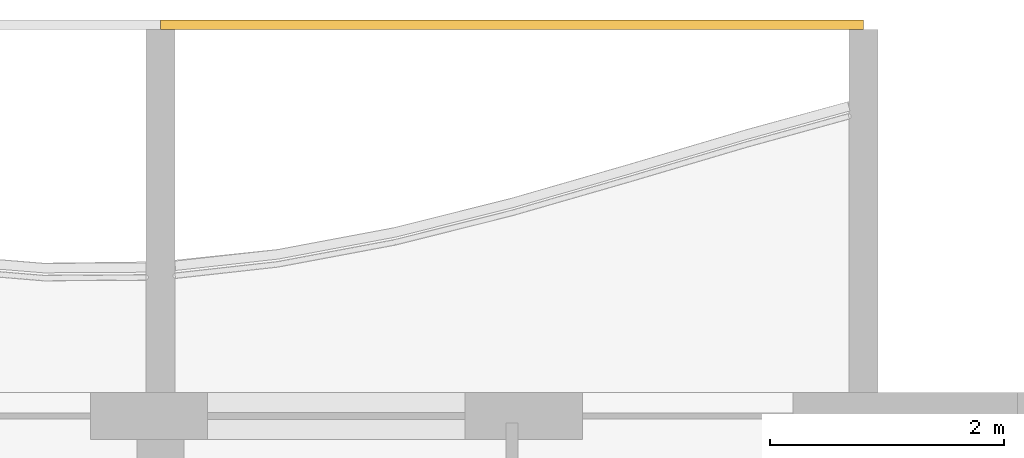
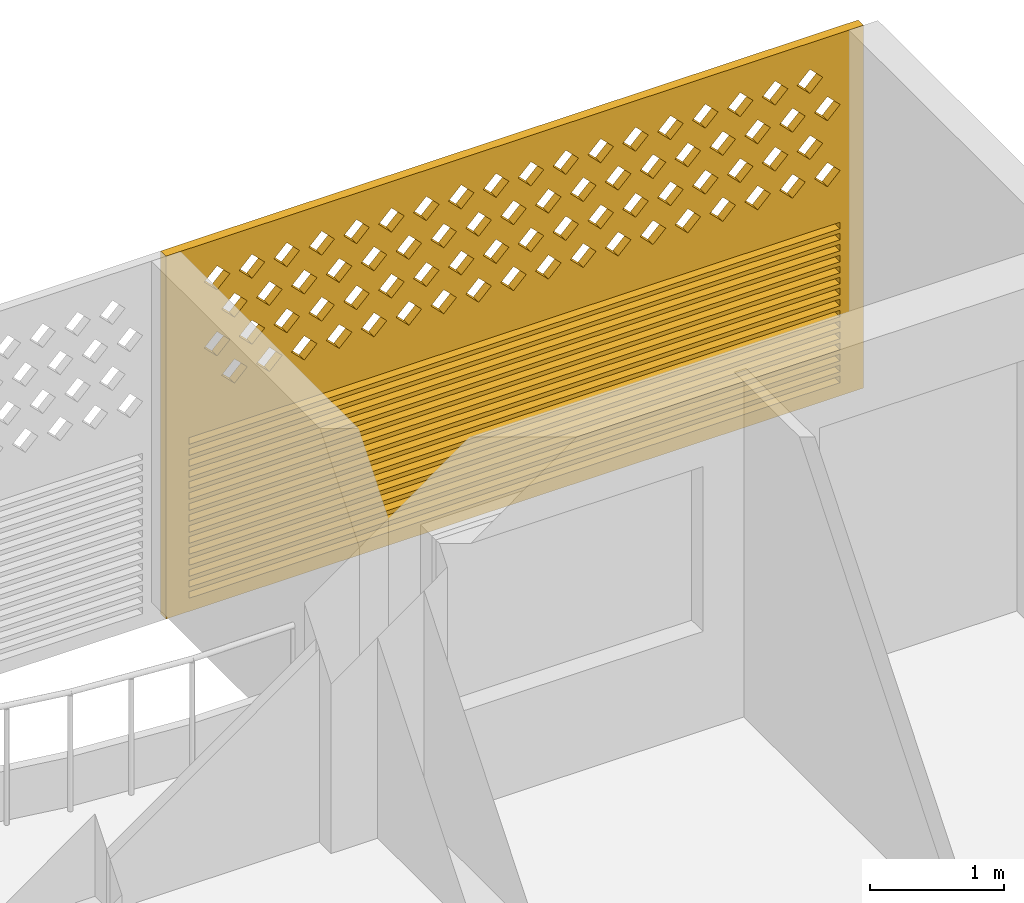
# One storey, part 38 of 38: 1 covering.
"""IFC4 building model written with IfcOpenShell, lengths in metres."""

from ifc_helpers import new_model, si_unit, direction, frame, origin, place, context, subcontext, project, spatial, polyline, outline, extrude, source, transform, mapped, material, material_profile, profile_set, type_object, element, save


model = new_model("IFC4")

# Units and contexts
model_context = context("Model", 3, precision=1e-05, world=origin(), true_north=direction((0.0, 1.0)))
body_context = subcontext(model_context, "Body", "Model", "MODEL_VIEW")
ifc_project = project(units=[si_unit("LENGTHUNIT", "METRE"), si_unit("AREAUNIT", "SQUARE_METRE"), si_unit("VOLUMEUNIT", "CUBIC_METRE"), si_unit("PLANEANGLEUNIT", "RADIAN"), si_unit("MASSUNIT", "GRAM", prefix="KILO")], contexts=[model_context])

# Site, building, storey
site_placement = place(None, origin())
site = spatial("IfcSite", under=ifc_project, at=site_placement, CompositionType="ELEMENT")
building_placement = place(site_placement, origin())
building = spatial("IfcBuilding", under=site, at=building_placement, Name="Poui Terraces", CompositionType="ELEMENT")
storey_placement = place(building_placement, frame((0.0, 0.0, 43.199951171875)))
storey = spatial("IfcBuildingStorey", under=building, at=storey_placement, Name="L11", CompositionType="ELEMENT", Elevation=43.199951171875)

# Covering
ifc_material = material(Name="Terracotta screen", Category="masonry")
ifc_material_profile = material_profile(ifc_material, outline(polyline([(-3.0, -1.64990234375), (3.0, -1.64990234375), (3.0, 1.64990234375), (-3.0, 1.64990234375), (-3.0, -1.64990234375)]), holes=[polyline([(-2.800048828125, 0.39990234375), (-2.68994140625, 0.2900390625), (-2.580078125, 0.39990234375), (-2.68994140625, 0.510009765625), (-2.800048828125, 0.39990234375)]), polyline([(-2.5, 0.39990234375), (-2.389892578125, 0.2900390625), (-2.280029296875, 0.39990234375), (-2.389892578125, 0.510009765625), (-2.5, 0.39990234375)]), polyline([(-2.199951171875, 0.39990234375), (-2.090087890625, 0.2900390625), (-1.97998046875, 0.39990234375), (-2.090087890625, 0.510009765625), (-2.199951171875, 0.39990234375)]), polyline([(-1.89990234375, 0.39990234375), (-1.7900390625, 0.2900390625), (-1.679931640625, 0.39990234375), (-1.7900390625, 0.510009765625), (-1.89990234375, 0.39990234375)]), polyline([(-1.60009765625, 0.39990234375), (-1.489990234375, 0.2900390625), (-1.3798828125, 0.39990234375), (-1.489990234375, 0.510009765625), (-1.60009765625, 0.39990234375)]), polyline([(-1.300048828125, 0.39990234375), (-1.18994140625, 0.2900390625), (-1.080078125, 0.39990234375), (-1.18994140625, 0.510009765625), (-1.300048828125, 0.39990234375)]), polyline([(-1.0, 0.39990234375), (-0.889892578125, 0.2900390625), (-0.780029296875, 0.39990234375), (-0.889892578125, 0.510009765625), (-1.0, 0.39990234375)]), polyline([(-0.699951171875, 0.39990234375), (-0.590087890625, 0.2900390625), (-0.47998046875, 0.39990234375), (-0.590087890625, 0.510009765625), (-0.699951171875, 0.39990234375)]), polyline([(-0.39990234375, 0.39990234375), (-0.2900390625, 0.2900390625), (-0.179931640625, 0.39990234375), (-0.2900390625, 0.510009765625), (-0.39990234375, 0.39990234375)]), polyline([(-0.10009765625, 0.39990234375), (0.010009765625, 0.2900390625), (0.1201171875, 0.39990234375), (0.010009765625, 0.510009765625), (-0.10009765625, 0.39990234375)]), polyline([(0.199951171875, 0.39990234375), (0.31005859375, 0.2900390625), (0.419921875, 0.39990234375), (0.31005859375, 0.510009765625), (0.199951171875, 0.39990234375)]), polyline([(0.5, 0.39990234375), (0.610107421875, 0.2900390625), (0.719970703125, 0.39990234375), (0.610107421875, 0.510009765625), (0.5, 0.39990234375)]), polyline([(0.800048828125, 0.39990234375), (0.909912109375, 0.2900390625), (1.02001953125, 0.39990234375), (0.909912109375, 0.510009765625), (0.800048828125, 0.39990234375)]), polyline([(1.10009765625, 0.39990234375), (1.2099609375, 0.2900390625), (1.320068359375, 0.39990234375), (1.2099609375, 0.510009765625), (1.10009765625, 0.39990234375)]), polyline([(1.39990234375, 0.39990234375), (1.510009765625, 0.2900390625), (1.6201171875, 0.39990234375), (1.510009765625, 0.510009765625), (1.39990234375, 0.39990234375)]), polyline([(1.699951171875, 0.39990234375), (1.81005859375, 0.2900390625), (1.919921875, 0.39990234375), (1.81005859375, 0.510009765625), (1.699951171875, 0.39990234375)]), polyline([(2.0, 0.39990234375), (2.110107421875, 0.2900390625), (2.219970703125, 0.39990234375), (2.110107421875, 0.510009765625), (2.0, 0.39990234375)]), polyline([(2.300048828125, 0.39990234375), (2.409912109375, 0.2900390625), (2.52001953125, 0.39990234375), (2.409912109375, 0.510009765625), (2.300048828125, 0.39990234375)]), polyline([(-2.64990234375, 0.699951171875), (-2.5400390625, 0.590087890625), (-2.429931640625, 0.699951171875), (-2.5400390625, 0.81005859375), (-2.64990234375, 0.699951171875)]), polyline([(-2.35009765625, 0.699951171875), (-2.239990234375, 0.590087890625), (-2.1298828125, 0.699951171875), (-2.239990234375, 0.81005859375), (-2.35009765625, 0.699951171875)]), polyline([(-2.050048828125, 0.699951171875), (-1.93994140625, 0.590087890625), (-1.830078125, 0.699951171875), (-1.93994140625, 0.81005859375), (-2.050048828125, 0.699951171875)]), polyline([(-1.75, 0.699951171875), (-1.639892578125, 0.590087890625), (-1.530029296875, 0.699951171875), (-1.639892578125, 0.81005859375), (-1.75, 0.699951171875)]), polyline([(-1.449951171875, 0.699951171875), (-1.340087890625, 0.590087890625), (-1.22998046875, 0.699951171875), (-1.340087890625, 0.81005859375), (-1.449951171875, 0.699951171875)]), polyline([(-1.14990234375, 0.699951171875), (-1.0400390625, 0.590087890625), (-0.929931640625, 0.699951171875), (-1.0400390625, 0.81005859375), (-1.14990234375, 0.699951171875)]), polyline([(-0.85009765625, 0.699951171875), (-0.739990234375, 0.590087890625), (-0.6298828125, 0.699951171875), (-0.739990234375, 0.81005859375), (-0.85009765625, 0.699951171875)]), polyline([(-0.550048828125, 0.699951171875), (-0.43994140625, 0.590087890625), (-0.330078125, 0.699951171875), (-0.43994140625, 0.81005859375), (-0.550048828125, 0.699951171875)]), polyline([(-0.25, 0.699951171875), (-0.139892578125, 0.590087890625), (-0.030029296875, 0.699951171875), (-0.139892578125, 0.81005859375), (-0.25, 0.699951171875)]), polyline([(0.050048828125, 0.699951171875), (0.159912109375, 0.590087890625), (0.27001953125, 0.699951171875), (0.159912109375, 0.81005859375), (0.050048828125, 0.699951171875)]), polyline([(0.35009765625, 0.699951171875), (0.4599609375, 0.590087890625), (0.570068359375, 0.699951171875), (0.4599609375, 0.81005859375), (0.35009765625, 0.699951171875)]), polyline([(0.64990234375, 0.699951171875), (0.760009765625, 0.590087890625), (0.8701171875, 0.699951171875), (0.760009765625, 0.81005859375), (0.64990234375, 0.699951171875)]), polyline([(0.949951171875, 0.699951171875), (1.06005859375, 0.590087890625), (1.169921875, 0.699951171875), (1.06005859375, 0.81005859375), (0.949951171875, 0.699951171875)]), polyline([(1.25, 0.699951171875), (1.360107421875, 0.590087890625), (1.469970703125, 0.699951171875), (1.360107421875, 0.81005859375), (1.25, 0.699951171875)]), polyline([(1.550048828125, 0.699951171875), (1.659912109375, 0.590087890625), (1.77001953125, 0.699951171875), (1.659912109375, 0.81005859375), (1.550048828125, 0.699951171875)]), polyline([(1.85009765625, 0.699951171875), (1.9599609375, 0.590087890625), (2.070068359375, 0.699951171875), (1.9599609375, 0.81005859375), (1.85009765625, 0.699951171875)]), polyline([(2.14990234375, 0.699951171875), (2.260009765625, 0.590087890625), (2.3701171875, 0.699951171875), (2.260009765625, 0.81005859375), (2.14990234375, 0.699951171875)]), polyline([(2.449951171875, 0.699951171875), (2.56005859375, 0.590087890625), (2.669921875, 0.699951171875), (2.56005859375, 0.81005859375), (2.449951171875, 0.699951171875)]), polyline([(-2.800048828125, 1.0), (-2.68994140625, 0.889892578125), (-2.580078125, 1.0), (-2.68994140625, 1.110107421875), (-2.800048828125, 1.0)]), polyline([(-2.5, 1.0), (-2.389892578125, 0.889892578125), (-2.280029296875, 1.0), (-2.389892578125, 1.110107421875), (-2.5, 1.0)]), polyline([(-2.199951171875, 1.0), (-2.090087890625, 0.889892578125), (-1.97998046875, 1.0), (-2.090087890625, 1.110107421875), (-2.199951171875, 1.0)]), polyline([(-1.89990234375, 1.0), (-1.7900390625, 0.889892578125), (-1.679931640625, 1.0), (-1.7900390625, 1.110107421875), (-1.89990234375, 1.0)]), polyline([(-1.60009765625, 1.0), (-1.489990234375, 0.889892578125), (-1.3798828125, 1.0), (-1.489990234375, 1.110107421875), (-1.60009765625, 1.0)]), polyline([(-1.300048828125, 1.0), (-1.18994140625, 0.889892578125), (-1.080078125, 1.0), (-1.18994140625, 1.110107421875), (-1.300048828125, 1.0)]), polyline([(-1.0, 1.0), (-0.889892578125, 0.889892578125), (-0.780029296875, 1.0), (-0.889892578125, 1.110107421875), (-1.0, 1.0)]), polyline([(-0.699951171875, 1.0), (-0.590087890625, 0.889892578125), (-0.47998046875, 1.0), (-0.590087890625, 1.110107421875), (-0.699951171875, 1.0)]), polyline([(-0.39990234375, 1.0), (-0.2900390625, 0.889892578125), (-0.179931640625, 1.0), (-0.2900390625, 1.110107421875), (-0.39990234375, 1.0)]), polyline([(-0.10009765625, 1.0), (0.010009765625, 0.889892578125), (0.1201171875, 1.0), (0.010009765625, 1.110107421875), (-0.10009765625, 1.0)]), polyline([(0.199951171875, 1.0), (0.31005859375, 0.889892578125), (0.419921875, 1.0), (0.31005859375, 1.110107421875), (0.199951171875, 1.0)]), polyline([(0.5, 1.0), (0.610107421875, 0.889892578125), (0.719970703125, 1.0), (0.610107421875, 1.110107421875), (0.5, 1.0)]), polyline([(0.800048828125, 1.0), (0.909912109375, 0.889892578125), (1.02001953125, 1.0), (0.909912109375, 1.110107421875), (0.800048828125, 1.0)]), polyline([(1.10009765625, 1.0), (1.2099609375, 0.889892578125), (1.320068359375, 1.0), (1.2099609375, 1.110107421875), (1.10009765625, 1.0)]), polyline([(1.39990234375, 1.0), (1.510009765625, 0.889892578125), (1.6201171875, 1.0), (1.510009765625, 1.110107421875), (1.39990234375, 1.0)]), polyline([(1.699951171875, 1.0), (1.81005859375, 0.889892578125), (1.919921875, 1.0), (1.81005859375, 1.110107421875), (1.699951171875, 1.0)]), polyline([(2.0, 1.0), (2.110107421875, 0.889892578125), (2.219970703125, 1.0), (2.110107421875, 1.110107421875), (2.0, 1.0)]), polyline([(2.300048828125, 1.0), (2.409912109375, 0.889892578125), (2.52001953125, 1.0), (2.409912109375, 1.110107421875), (2.300048828125, 1.0)]), polyline([(-2.64990234375, 1.300048828125), (-2.5400390625, 1.18994140625), (-2.429931640625, 1.300048828125), (-2.5400390625, 1.409912109375), (-2.64990234375, 1.300048828125)]), polyline([(-2.35009765625, 1.300048828125), (-2.239990234375, 1.18994140625), (-2.1298828125, 1.300048828125), (-2.239990234375, 1.409912109375), (-2.35009765625, 1.300048828125)]), polyline([(-2.050048828125, 1.300048828125), (-1.93994140625, 1.18994140625), (-1.830078125, 1.300048828125), (-1.93994140625, 1.409912109375), (-2.050048828125, 1.300048828125)]), polyline([(-1.75, 1.300048828125), (-1.639892578125, 1.18994140625), (-1.530029296875, 1.300048828125), (-1.639892578125, 1.409912109375), (-1.75, 1.300048828125)]), polyline([(-1.449951171875, 1.300048828125), (-1.340087890625, 1.18994140625), (-1.22998046875, 1.300048828125), (-1.340087890625, 1.409912109375), (-1.449951171875, 1.300048828125)]), polyline([(-1.14990234375, 1.300048828125), (-1.0400390625, 1.18994140625), (-0.929931640625, 1.300048828125), (-1.0400390625, 1.409912109375), (-1.14990234375, 1.300048828125)]), polyline([(-0.85009765625, 1.300048828125), (-0.739990234375, 1.18994140625), (-0.6298828125, 1.300048828125), (-0.739990234375, 1.409912109375), (-0.85009765625, 1.300048828125)]), polyline([(-0.550048828125, 1.300048828125), (-0.43994140625, 1.18994140625), (-0.330078125, 1.300048828125), (-0.43994140625, 1.409912109375), (-0.550048828125, 1.300048828125)]), polyline([(-0.25, 1.300048828125), (-0.139892578125, 1.18994140625), (-0.030029296875, 1.300048828125), (-0.139892578125, 1.409912109375), (-0.25, 1.300048828125)]), polyline([(0.050048828125, 1.300048828125), (0.159912109375, 1.18994140625), (0.27001953125, 1.300048828125), (0.159912109375, 1.409912109375), (0.050048828125, 1.300048828125)]), polyline([(0.35009765625, 1.300048828125), (0.4599609375, 1.18994140625), (0.570068359375, 1.300048828125), (0.4599609375, 1.409912109375), (0.35009765625, 1.300048828125)]), polyline([(0.64990234375, 1.300048828125), (0.760009765625, 1.18994140625), (0.8701171875, 1.300048828125), (0.760009765625, 1.409912109375), (0.64990234375, 1.300048828125)]), polyline([(0.949951171875, 1.300048828125), (1.06005859375, 1.18994140625), (1.169921875, 1.300048828125), (1.06005859375, 1.409912109375), (0.949951171875, 1.300048828125)]), polyline([(1.25, 1.300048828125), (1.360107421875, 1.18994140625), (1.469970703125, 1.300048828125), (1.360107421875, 1.409912109375), (1.25, 1.300048828125)]), polyline([(1.550048828125, 1.300048828125), (1.659912109375, 1.18994140625), (1.77001953125, 1.300048828125), (1.659912109375, 1.409912109375), (1.550048828125, 1.300048828125)]), polyline([(1.85009765625, 1.300048828125), (1.9599609375, 1.18994140625), (2.070068359375, 1.300048828125), (1.9599609375, 1.409912109375), (1.85009765625, 1.300048828125)]), polyline([(2.14990234375, 1.300048828125), (2.260009765625, 1.18994140625), (2.3701171875, 1.300048828125), (2.260009765625, 1.409912109375), (2.14990234375, 1.300048828125)]), polyline([(2.449951171875, 1.300048828125), (2.56005859375, 1.18994140625), (2.669921875, 1.300048828125), (2.56005859375, 1.409912109375), (2.449951171875, 1.300048828125)]), polyline([(-2.800048828125, -1.530029296875), (2.800048828125, -1.530029296875), (2.800048828125, -1.469970703125), (-2.800048828125, -1.469970703125), (-2.800048828125, -1.530029296875)]), polyline([(-2.800048828125, -1.429931640625), (2.800048828125, -1.429931640625), (2.800048828125, -1.3701171875), (-2.800048828125, -1.3701171875), (-2.800048828125, -1.429931640625)]), polyline([(-2.800048828125, -1.330078125), (2.800048828125, -1.330078125), (2.800048828125, -1.27001953125), (-2.800048828125, -1.27001953125), (-2.800048828125, -1.330078125)]), polyline([(-2.800048828125, -1.22998046875), (2.800048828125, -1.22998046875), (2.800048828125, -1.169921875), (-2.800048828125, -1.169921875), (-2.800048828125, -1.22998046875)]), polyline([(-2.800048828125, -1.1298828125), (2.800048828125, -1.1298828125), (2.800048828125, -1.070068359375), (-2.800048828125, -1.070068359375), (-2.800048828125, -1.1298828125)]), polyline([(-2.800048828125, -1.030029296875), (2.800048828125, -1.030029296875), (2.800048828125, -0.969970703125), (-2.800048828125, -0.969970703125), (-2.800048828125, -1.030029296875)]), polyline([(-2.800048828125, -0.929931640625), (2.800048828125, -0.929931640625), (2.800048828125, -0.8701171875), (-2.800048828125, -0.8701171875), (-2.800048828125, -0.929931640625)]), polyline([(-2.800048828125, -0.830078125), (2.800048828125, -0.830078125), (2.800048828125, -0.77001953125), (-2.800048828125, -0.77001953125), (-2.800048828125, -0.830078125)]), polyline([(-2.800048828125, -0.72998046875), (2.800048828125, -0.72998046875), (2.800048828125, -0.669921875), (-2.800048828125, -0.669921875), (-2.800048828125, -0.72998046875)]), polyline([(-2.800048828125, -0.6298828125), (2.800048828125, -0.6298828125), (2.800048828125, -0.570068359375), (-2.800048828125, -0.570068359375), (-2.800048828125, -0.6298828125)]), polyline([(-2.800048828125, -0.530029296875), (2.800048828125, -0.530029296875), (2.800048828125, -0.469970703125), (-2.800048828125, -0.469970703125), (-2.800048828125, -0.530029296875)]), polyline([(-2.800048828125, -0.429931640625), (2.800048828125, -0.429931640625), (2.800048828125, -0.3701171875), (-2.800048828125, -0.3701171875), (-2.800048828125, -0.429931640625)]), polyline([(-2.800048828125, -0.330078125), (2.800048828125, -0.330078125), (2.800048828125, -0.27001953125), (-2.800048828125, -0.27001953125), (-2.800048828125, -0.330078125)]), polyline([(-2.800048828125, -0.22998046875), (2.800048828125, -0.22998046875), (2.800048828125, -0.169921875), (-2.800048828125, -0.169921875), (-2.800048828125, -0.22998046875)]), polyline([(-2.800048828125, -0.1298828125), (2.800048828125, -0.1298828125), (2.800048828125, -0.070068359375), (-2.800048828125, -0.070068359375), (-2.800048828125, -0.1298828125)])]), Name="TERRACOTTA SCREEN AND JALOUSIE LOUVRE 6000X3300")
ifc_profile_set = profile_set([ifc_material_profile], Name="Terracotta screen")
covering_type = type_object("IfcCoveringType", Name="TERRACOTTA SCREEN AND JALOUSIE LOUVRE 6000X3300", PredefinedType="CLADDING", material=ifc_profile_set)
shared_shape = source(origin(), body_context, "Body", "SweptSolid", [
    extrude(outline(polyline([(-3.0, -1.64990234375), (3.0, -1.64990234375), (3.0, 1.64990234375), (-3.0, 1.64990234375), (-3.0, -1.64990234375)]), holes=[polyline([(-2.800048828125, 0.39990234375), (-2.68994140625, 0.2900390625), (-2.580078125, 0.39990234375), (-2.68994140625, 0.510009765625), (-2.800048828125, 0.39990234375)]), polyline([(-2.5, 0.39990234375), (-2.389892578125, 0.2900390625), (-2.280029296875, 0.39990234375), (-2.389892578125, 0.510009765625), (-2.5, 0.39990234375)]), polyline([(-2.199951171875, 0.39990234375), (-2.090087890625, 0.2900390625), (-1.97998046875, 0.39990234375), (-2.090087890625, 0.510009765625), (-2.199951171875, 0.39990234375)]), polyline([(-1.89990234375, 0.39990234375), (-1.7900390625, 0.2900390625), (-1.679931640625, 0.39990234375), (-1.7900390625, 0.510009765625), (-1.89990234375, 0.39990234375)]), polyline([(-1.60009765625, 0.39990234375), (-1.489990234375, 0.2900390625), (-1.3798828125, 0.39990234375), (-1.489990234375, 0.510009765625), (-1.60009765625, 0.39990234375)]), polyline([(-1.300048828125, 0.39990234375), (-1.18994140625, 0.2900390625), (-1.080078125, 0.39990234375), (-1.18994140625, 0.510009765625), (-1.300048828125, 0.39990234375)]), polyline([(-1.0, 0.39990234375), (-0.889892578125, 0.2900390625), (-0.780029296875, 0.39990234375), (-0.889892578125, 0.510009765625), (-1.0, 0.39990234375)]), polyline([(-0.699951171875, 0.39990234375), (-0.590087890625, 0.2900390625), (-0.47998046875, 0.39990234375), (-0.590087890625, 0.510009765625), (-0.699951171875, 0.39990234375)]), polyline([(-0.39990234375, 0.39990234375), (-0.2900390625, 0.2900390625), (-0.179931640625, 0.39990234375), (-0.2900390625, 0.510009765625), (-0.39990234375, 0.39990234375)]), polyline([(-0.10009765625, 0.39990234375), (0.010009765625, 0.2900390625), (0.1201171875, 0.39990234375), (0.010009765625, 0.510009765625), (-0.10009765625, 0.39990234375)]), polyline([(0.199951171875, 0.39990234375), (0.31005859375, 0.2900390625), (0.419921875, 0.39990234375), (0.31005859375, 0.510009765625), (0.199951171875, 0.39990234375)]), polyline([(0.5, 0.39990234375), (0.610107421875, 0.2900390625), (0.719970703125, 0.39990234375), (0.610107421875, 0.510009765625), (0.5, 0.39990234375)]), polyline([(0.800048828125, 0.39990234375), (0.909912109375, 0.2900390625), (1.02001953125, 0.39990234375), (0.909912109375, 0.510009765625), (0.800048828125, 0.39990234375)]), polyline([(1.10009765625, 0.39990234375), (1.2099609375, 0.2900390625), (1.320068359375, 0.39990234375), (1.2099609375, 0.510009765625), (1.10009765625, 0.39990234375)]), polyline([(1.39990234375, 0.39990234375), (1.510009765625, 0.2900390625), (1.6201171875, 0.39990234375), (1.510009765625, 0.510009765625), (1.39990234375, 0.39990234375)]), polyline([(1.699951171875, 0.39990234375), (1.81005859375, 0.2900390625), (1.919921875, 0.39990234375), (1.81005859375, 0.510009765625), (1.699951171875, 0.39990234375)]), polyline([(2.0, 0.39990234375), (2.110107421875, 0.2900390625), (2.219970703125, 0.39990234375), (2.110107421875, 0.510009765625), (2.0, 0.39990234375)]), polyline([(2.300048828125, 0.39990234375), (2.409912109375, 0.2900390625), (2.52001953125, 0.39990234375), (2.409912109375, 0.510009765625), (2.300048828125, 0.39990234375)]), polyline([(-2.64990234375, 0.699951171875), (-2.5400390625, 0.590087890625), (-2.429931640625, 0.699951171875), (-2.5400390625, 0.81005859375), (-2.64990234375, 0.699951171875)]), polyline([(-2.35009765625, 0.699951171875), (-2.239990234375, 0.590087890625), (-2.1298828125, 0.699951171875), (-2.239990234375, 0.81005859375), (-2.35009765625, 0.699951171875)]), polyline([(-2.050048828125, 0.699951171875), (-1.93994140625, 0.590087890625), (-1.830078125, 0.699951171875), (-1.93994140625, 0.81005859375), (-2.050048828125, 0.699951171875)]), polyline([(-1.75, 0.699951171875), (-1.639892578125, 0.590087890625), (-1.530029296875, 0.699951171875), (-1.639892578125, 0.81005859375), (-1.75, 0.699951171875)]), polyline([(-1.449951171875, 0.699951171875), (-1.340087890625, 0.590087890625), (-1.22998046875, 0.699951171875), (-1.340087890625, 0.81005859375), (-1.449951171875, 0.699951171875)]), polyline([(-1.14990234375, 0.699951171875), (-1.0400390625, 0.590087890625), (-0.929931640625, 0.699951171875), (-1.0400390625, 0.81005859375), (-1.14990234375, 0.699951171875)]), polyline([(-0.85009765625, 0.699951171875), (-0.739990234375, 0.590087890625), (-0.6298828125, 0.699951171875), (-0.739990234375, 0.81005859375), (-0.85009765625, 0.699951171875)]), polyline([(-0.550048828125, 0.699951171875), (-0.43994140625, 0.590087890625), (-0.330078125, 0.699951171875), (-0.43994140625, 0.81005859375), (-0.550048828125, 0.699951171875)]), polyline([(-0.25, 0.699951171875), (-0.139892578125, 0.590087890625), (-0.030029296875, 0.699951171875), (-0.139892578125, 0.81005859375), (-0.25, 0.699951171875)]), polyline([(0.050048828125, 0.699951171875), (0.159912109375, 0.590087890625), (0.27001953125, 0.699951171875), (0.159912109375, 0.81005859375), (0.050048828125, 0.699951171875)]), polyline([(0.35009765625, 0.699951171875), (0.4599609375, 0.590087890625), (0.570068359375, 0.699951171875), (0.4599609375, 0.81005859375), (0.35009765625, 0.699951171875)]), polyline([(0.64990234375, 0.699951171875), (0.760009765625, 0.590087890625), (0.8701171875, 0.699951171875), (0.760009765625, 0.81005859375), (0.64990234375, 0.699951171875)]), polyline([(0.949951171875, 0.699951171875), (1.06005859375, 0.590087890625), (1.169921875, 0.699951171875), (1.06005859375, 0.81005859375), (0.949951171875, 0.699951171875)]), polyline([(1.25, 0.699951171875), (1.360107421875, 0.590087890625), (1.469970703125, 0.699951171875), (1.360107421875, 0.81005859375), (1.25, 0.699951171875)]), polyline([(1.550048828125, 0.699951171875), (1.659912109375, 0.590087890625), (1.77001953125, 0.699951171875), (1.659912109375, 0.81005859375), (1.550048828125, 0.699951171875)]), polyline([(1.85009765625, 0.699951171875), (1.9599609375, 0.590087890625), (2.070068359375, 0.699951171875), (1.9599609375, 0.81005859375), (1.85009765625, 0.699951171875)]), polyline([(2.14990234375, 0.699951171875), (2.260009765625, 0.590087890625), (2.3701171875, 0.699951171875), (2.260009765625, 0.81005859375), (2.14990234375, 0.699951171875)]), polyline([(2.449951171875, 0.699951171875), (2.56005859375, 0.590087890625), (2.669921875, 0.699951171875), (2.56005859375, 0.81005859375), (2.449951171875, 0.699951171875)]), polyline([(-2.800048828125, 1.0), (-2.68994140625, 0.889892578125), (-2.580078125, 1.0), (-2.68994140625, 1.110107421875), (-2.800048828125, 1.0)]), polyline([(-2.5, 1.0), (-2.389892578125, 0.889892578125), (-2.280029296875, 1.0), (-2.389892578125, 1.110107421875), (-2.5, 1.0)]), polyline([(-2.199951171875, 1.0), (-2.090087890625, 0.889892578125), (-1.97998046875, 1.0), (-2.090087890625, 1.110107421875), (-2.199951171875, 1.0)]), polyline([(-1.89990234375, 1.0), (-1.7900390625, 0.889892578125), (-1.679931640625, 1.0), (-1.7900390625, 1.110107421875), (-1.89990234375, 1.0)]), polyline([(-1.60009765625, 1.0), (-1.489990234375, 0.889892578125), (-1.3798828125, 1.0), (-1.489990234375, 1.110107421875), (-1.60009765625, 1.0)]), polyline([(-1.300048828125, 1.0), (-1.18994140625, 0.889892578125), (-1.080078125, 1.0), (-1.18994140625, 1.110107421875), (-1.300048828125, 1.0)]), polyline([(-1.0, 1.0), (-0.889892578125, 0.889892578125), (-0.780029296875, 1.0), (-0.889892578125, 1.110107421875), (-1.0, 1.0)]), polyline([(-0.699951171875, 1.0), (-0.590087890625, 0.889892578125), (-0.47998046875, 1.0), (-0.590087890625, 1.110107421875), (-0.699951171875, 1.0)]), polyline([(-0.39990234375, 1.0), (-0.2900390625, 0.889892578125), (-0.179931640625, 1.0), (-0.2900390625, 1.110107421875), (-0.39990234375, 1.0)]), polyline([(-0.10009765625, 1.0), (0.010009765625, 0.889892578125), (0.1201171875, 1.0), (0.010009765625, 1.110107421875), (-0.10009765625, 1.0)]), polyline([(0.199951171875, 1.0), (0.31005859375, 0.889892578125), (0.419921875, 1.0), (0.31005859375, 1.110107421875), (0.199951171875, 1.0)]), polyline([(0.5, 1.0), (0.610107421875, 0.889892578125), (0.719970703125, 1.0), (0.610107421875, 1.110107421875), (0.5, 1.0)]), polyline([(0.800048828125, 1.0), (0.909912109375, 0.889892578125), (1.02001953125, 1.0), (0.909912109375, 1.110107421875), (0.800048828125, 1.0)]), polyline([(1.10009765625, 1.0), (1.2099609375, 0.889892578125), (1.320068359375, 1.0), (1.2099609375, 1.110107421875), (1.10009765625, 1.0)]), polyline([(1.39990234375, 1.0), (1.510009765625, 0.889892578125), (1.6201171875, 1.0), (1.510009765625, 1.110107421875), (1.39990234375, 1.0)]), polyline([(1.699951171875, 1.0), (1.81005859375, 0.889892578125), (1.919921875, 1.0), (1.81005859375, 1.110107421875), (1.699951171875, 1.0)]), polyline([(2.0, 1.0), (2.110107421875, 0.889892578125), (2.219970703125, 1.0), (2.110107421875, 1.110107421875), (2.0, 1.0)]), polyline([(2.300048828125, 1.0), (2.409912109375, 0.889892578125), (2.52001953125, 1.0), (2.409912109375, 1.110107421875), (2.300048828125, 1.0)]), polyline([(-2.64990234375, 1.300048828125), (-2.5400390625, 1.18994140625), (-2.429931640625, 1.300048828125), (-2.5400390625, 1.409912109375), (-2.64990234375, 1.300048828125)]), polyline([(-2.35009765625, 1.300048828125), (-2.239990234375, 1.18994140625), (-2.1298828125, 1.300048828125), (-2.239990234375, 1.409912109375), (-2.35009765625, 1.300048828125)]), polyline([(-2.050048828125, 1.300048828125), (-1.93994140625, 1.18994140625), (-1.830078125, 1.300048828125), (-1.93994140625, 1.409912109375), (-2.050048828125, 1.300048828125)]), polyline([(-1.75, 1.300048828125), (-1.639892578125, 1.18994140625), (-1.530029296875, 1.300048828125), (-1.639892578125, 1.409912109375), (-1.75, 1.300048828125)]), polyline([(-1.449951171875, 1.300048828125), (-1.340087890625, 1.18994140625), (-1.22998046875, 1.300048828125), (-1.340087890625, 1.409912109375), (-1.449951171875, 1.300048828125)]), polyline([(-1.14990234375, 1.300048828125), (-1.0400390625, 1.18994140625), (-0.929931640625, 1.300048828125), (-1.0400390625, 1.409912109375), (-1.14990234375, 1.300048828125)]), polyline([(-0.85009765625, 1.300048828125), (-0.739990234375, 1.18994140625), (-0.6298828125, 1.300048828125), (-0.739990234375, 1.409912109375), (-0.85009765625, 1.300048828125)]), polyline([(-0.550048828125, 1.300048828125), (-0.43994140625, 1.18994140625), (-0.330078125, 1.300048828125), (-0.43994140625, 1.409912109375), (-0.550048828125, 1.300048828125)]), polyline([(-0.25, 1.300048828125), (-0.139892578125, 1.18994140625), (-0.030029296875, 1.300048828125), (-0.139892578125, 1.409912109375), (-0.25, 1.300048828125)]), polyline([(0.050048828125, 1.300048828125), (0.159912109375, 1.18994140625), (0.27001953125, 1.300048828125), (0.159912109375, 1.409912109375), (0.050048828125, 1.300048828125)]), polyline([(0.35009765625, 1.300048828125), (0.4599609375, 1.18994140625), (0.570068359375, 1.300048828125), (0.4599609375, 1.409912109375), (0.35009765625, 1.300048828125)]), polyline([(0.64990234375, 1.300048828125), (0.760009765625, 1.18994140625), (0.8701171875, 1.300048828125), (0.760009765625, 1.409912109375), (0.64990234375, 1.300048828125)]), polyline([(0.949951171875, 1.300048828125), (1.06005859375, 1.18994140625), (1.169921875, 1.300048828125), (1.06005859375, 1.409912109375), (0.949951171875, 1.300048828125)]), polyline([(1.25, 1.300048828125), (1.360107421875, 1.18994140625), (1.469970703125, 1.300048828125), (1.360107421875, 1.409912109375), (1.25, 1.300048828125)]), polyline([(1.550048828125, 1.300048828125), (1.659912109375, 1.18994140625), (1.77001953125, 1.300048828125), (1.659912109375, 1.409912109375), (1.550048828125, 1.300048828125)]), polyline([(1.85009765625, 1.300048828125), (1.9599609375, 1.18994140625), (2.070068359375, 1.300048828125), (1.9599609375, 1.409912109375), (1.85009765625, 1.300048828125)]), polyline([(2.14990234375, 1.300048828125), (2.260009765625, 1.18994140625), (2.3701171875, 1.300048828125), (2.260009765625, 1.409912109375), (2.14990234375, 1.300048828125)]), polyline([(2.449951171875, 1.300048828125), (2.56005859375, 1.18994140625), (2.669921875, 1.300048828125), (2.56005859375, 1.409912109375), (2.449951171875, 1.300048828125)]), polyline([(-2.800048828125, -1.530029296875), (2.800048828125, -1.530029296875), (2.800048828125, -1.469970703125), (-2.800048828125, -1.469970703125), (-2.800048828125, -1.530029296875)]), polyline([(-2.800048828125, -1.429931640625), (2.800048828125, -1.429931640625), (2.800048828125, -1.3701171875), (-2.800048828125, -1.3701171875), (-2.800048828125, -1.429931640625)]), polyline([(-2.800048828125, -1.330078125), (2.800048828125, -1.330078125), (2.800048828125, -1.27001953125), (-2.800048828125, -1.27001953125), (-2.800048828125, -1.330078125)]), polyline([(-2.800048828125, -1.22998046875), (2.800048828125, -1.22998046875), (2.800048828125, -1.169921875), (-2.800048828125, -1.169921875), (-2.800048828125, -1.22998046875)]), polyline([(-2.800048828125, -1.1298828125), (2.800048828125, -1.1298828125), (2.800048828125, -1.070068359375), (-2.800048828125, -1.070068359375), (-2.800048828125, -1.1298828125)]), polyline([(-2.800048828125, -1.030029296875), (2.800048828125, -1.030029296875), (2.800048828125, -0.969970703125), (-2.800048828125, -0.969970703125), (-2.800048828125, -1.030029296875)]), polyline([(-2.800048828125, -0.929931640625), (2.800048828125, -0.929931640625), (2.800048828125, -0.8701171875), (-2.800048828125, -0.8701171875), (-2.800048828125, -0.929931640625)]), polyline([(-2.800048828125, -0.830078125), (2.800048828125, -0.830078125), (2.800048828125, -0.77001953125), (-2.800048828125, -0.77001953125), (-2.800048828125, -0.830078125)]), polyline([(-2.800048828125, -0.72998046875), (2.800048828125, -0.72998046875), (2.800048828125, -0.669921875), (-2.800048828125, -0.669921875), (-2.800048828125, -0.72998046875)]), polyline([(-2.800048828125, -0.6298828125), (2.800048828125, -0.6298828125), (2.800048828125, -0.570068359375), (-2.800048828125, -0.570068359375), (-2.800048828125, -0.6298828125)]), polyline([(-2.800048828125, -0.530029296875), (2.800048828125, -0.530029296875), (2.800048828125, -0.469970703125), (-2.800048828125, -0.469970703125), (-2.800048828125, -0.530029296875)]), polyline([(-2.800048828125, -0.429931640625), (2.800048828125, -0.429931640625), (2.800048828125, -0.3701171875), (-2.800048828125, -0.3701171875), (-2.800048828125, -0.429931640625)]), polyline([(-2.800048828125, -0.330078125), (2.800048828125, -0.330078125), (2.800048828125, -0.27001953125), (-2.800048828125, -0.27001953125), (-2.800048828125, -0.330078125)]), polyline([(-2.800048828125, -0.22998046875), (2.800048828125, -0.22998046875), (2.800048828125, -0.169921875), (-2.800048828125, -0.169921875), (-2.800048828125, -0.22998046875)]), polyline([(-2.800048828125, -0.1298828125), (2.800048828125, -0.1298828125), (2.800048828125, -0.070068359375), (-2.800048828125, -0.070068359375), (-2.800048828125, -0.1298828125)])]), origin(), (0.0, 0.0, 1.0), 0.079833984375),
])
covering_placement = place(storey_placement, frame((93.0, 48.10009765625, 1.449951171875), z_axis=(0.0, 1.0, 0.0), x_axis=(-1.0, 0.0, 0.0)))
element("IfcCovering", 1, at=covering_placement, inside=storey, type_object=covering_type, Name="SOLAR SCREEN AND JALOUSIE LOUVRE", PredefinedType="CLADDING", context=body_context, shape_type="MappedRepresentation", body=[
    mapped(shared_shape, transform((0.0, 0.0, 0.0))),
])

save(model, "model.ifc")
